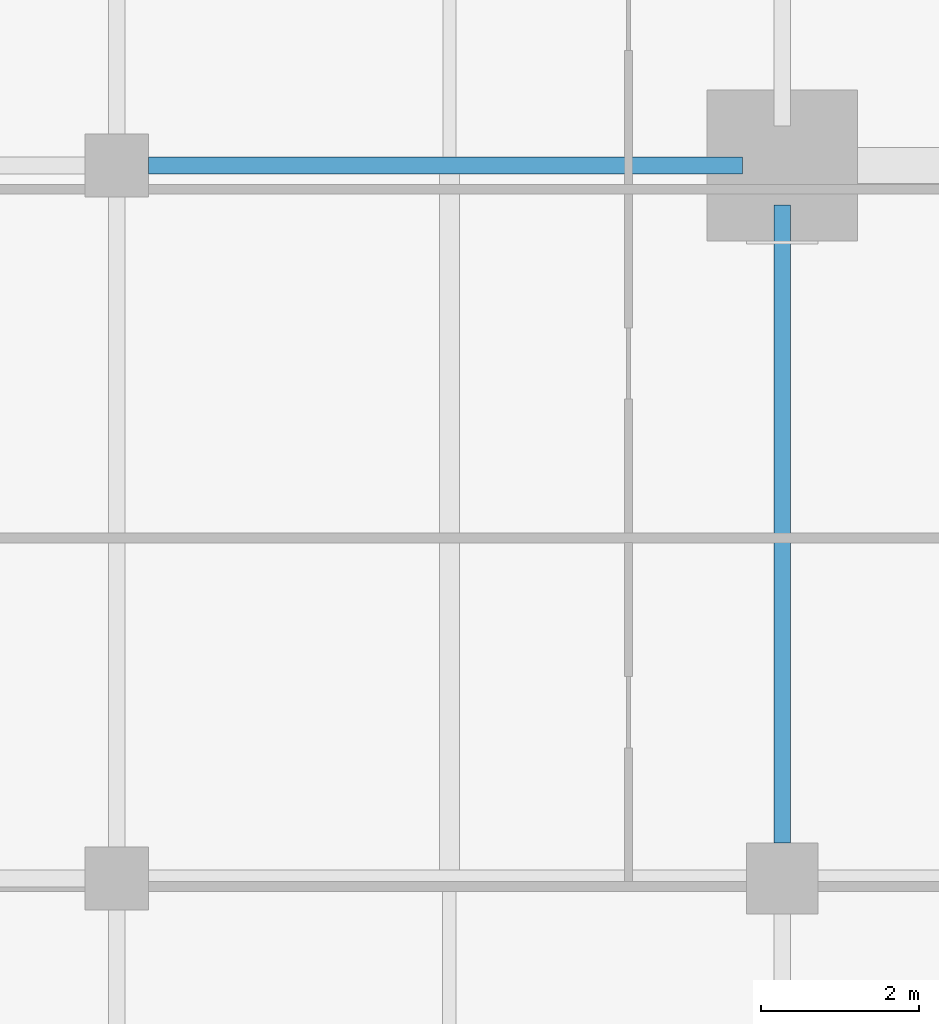
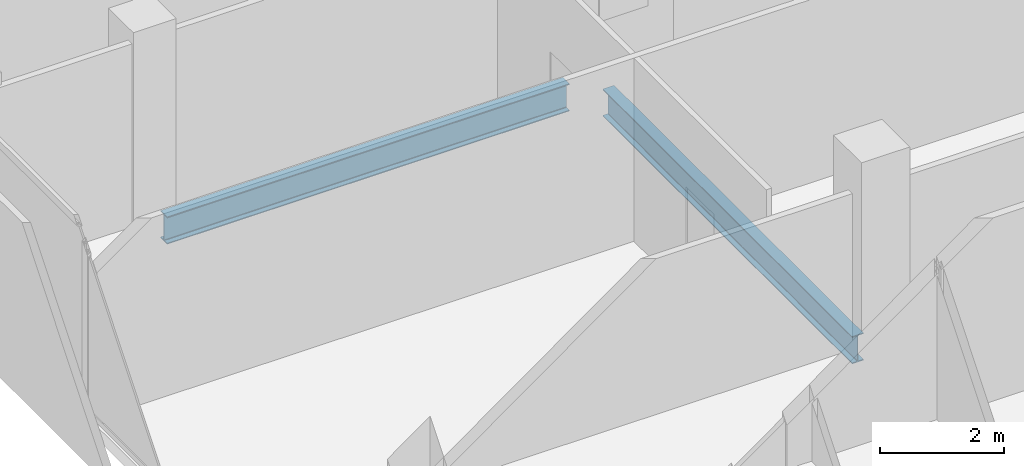
# One storey, part 9 of 34: 2 beams.
"""IFC4 building model written with IfcOpenShell, lengths in metres."""

from ifc_helpers import new_model, si_unit, direction, frame, origin, origin_2d, place, context, subcontext, project, spatial, i_section, extrude, material, material_profile, profile_set, type_object, element, save


model = new_model("IFC4")

# Units and contexts
model_context = context("Model", 3, precision=1e-05, world=origin(), true_north=direction((0.0, 1.0)))
body_context = subcontext(model_context, "Body", "Model", "MODEL_VIEW")
ifc_project = project(units=[si_unit("LENGTHUNIT", "METRE"), si_unit("AREAUNIT", "SQUARE_METRE"), si_unit("VOLUMEUNIT", "CUBIC_METRE"), si_unit("PLANEANGLEUNIT", "RADIAN"), si_unit("MASSUNIT", "GRAM", prefix="KILO")], contexts=[model_context])

# Site, building, storey
site_placement = place(None, origin())
site = spatial("IfcSite", under=ifc_project, at=site_placement, CompositionType="ELEMENT")
building_placement = place(site_placement, origin())
building = spatial("IfcBuilding", under=site, at=building_placement, Name="Maruvema Waterfront Hotel and Observation Tower", CompositionType="ELEMENT")
storey_placement = place(building_placement, frame((0.0, 0.0, 208.25)))
storey = spatial("IfcBuildingStorey", under=building, at=storey_placement, Name="L51", CompositionType="ELEMENT", Elevation=208.25)

# Beams
ifc_material = material(Name="Steel ASTM A572 Grade 50", Category="steel")
ifc_material_profile = material_profile(ifc_material, i_section(OverallWidth=0.2109375, OverallDepth=0.5390625, WebThickness=0.01171875, FlangeThickness=0.018798828125, FilletRadius=0.014892578125, at=origin_2d()), Name="W530x109.0")
ifc_profile_set = profile_set([ifc_material_profile], Name="Steel ASTM A572 Grade 50")
beam_type = type_object("IfcBeamType", Name="Primary Floor Girder W530x109.0", PredefinedType="BEAM", material=ifc_profile_set)
beam_1_placement = place(storey_placement, frame((17.199951171875, 27.0, -0.509521484375), z_axis=(1.0, 0.0, 0.0), x_axis=(0.0, 1.0, 0.0)))
element("IfcBeam", 1, at=beam_1_placement, inside=storey, type_object=beam_type, Name="L51 Floor Girder EW-19", PredefinedType="BEAM", context=body_context, shape_type="SweptSolid", body=[
    extrude(i_section(OverallWidth=0.2109375, OverallDepth=0.5390625, WebThickness=0.01171875, FlangeThickness=0.018798828125, FilletRadius=0.014892578125, at=origin_2d()), origin(), (0.0, 0.0, 1.0), 7.5),
])
beam_2_placement = place(storey_placement, frame((25.199951171875, 18.449951171875, -0.509521484375), z_axis=(0.0, 1.0, 0.0), x_axis=(-1.0, 0.0, 0.0)))
element("IfcBeam", 2, at=beam_2_placement, inside=storey, type_object=beam_type, Name="L51 Floor Girder NS-11", PredefinedType="BEAM", context=body_context, shape_type="SweptSolid", body=[
    extrude(i_section(OverallWidth=0.2109375, OverallDepth=0.5390625, WebThickness=0.01171875, FlangeThickness=0.018798828125, FilletRadius=0.014892578125, at=origin_2d()), origin(), (0.0, 0.0, 1.0), 8.050048828125),
])

save(model, "model.ifc")
